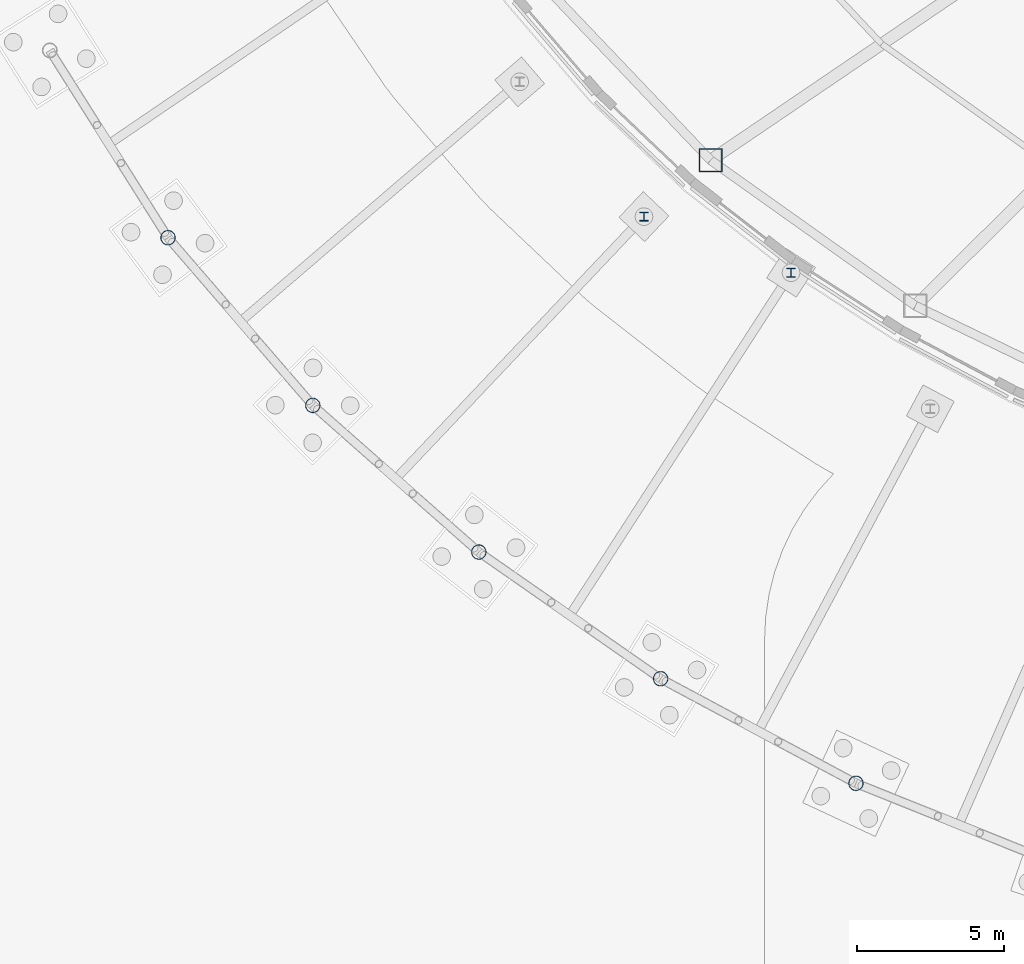
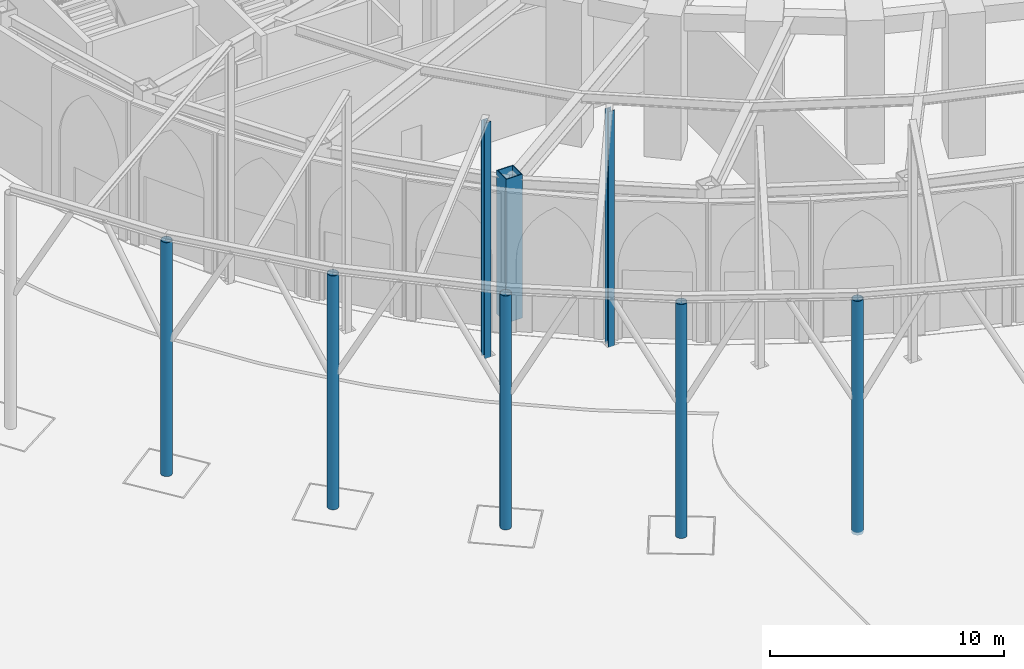
# One storey, part 3 of 79: 8 columns.
"""IFC4 building model written with IfcOpenShell, lengths in metres."""

from ifc_helpers import new_model, si_unit, direction, frame, origin, origin_2d, place, context, subcontext, project, spatial, hollow_rectangle, hollow_circle, i_section, extrude, material, material_profile, profile_set, type_object, element, save


model = new_model("IFC4")

# Units and contexts
model_context = context("Model", 3, precision=1e-05, world=origin(), true_north=direction((0.0, 1.0)))
body_context = subcontext(model_context, "Body", "Model", "MODEL_VIEW")
ifc_project = project(units=[si_unit("LENGTHUNIT", "METRE"), si_unit("AREAUNIT", "SQUARE_METRE"), si_unit("VOLUMEUNIT", "CUBIC_METRE"), si_unit("PLANEANGLEUNIT", "RADIAN"), si_unit("MASSUNIT", "GRAM", prefix="KILO")], contexts=[model_context])

# Site, building, storey
site_placement = place(None, origin())
site = spatial("IfcSite", under=ifc_project, at=site_placement, CompositionType="ELEMENT")
building_placement = place(site_placement, origin())
building = spatial("IfcBuilding", under=site, at=building_placement, Name="Noorbagh Ring Tower", CompositionType="ELEMENT")
storey_placement = place(building_placement, origin())
storey = spatial("IfcBuildingStorey", under=building, at=storey_placement, Name="L00", CompositionType="ELEMENT", Elevation=0.0)

# Columns
ifc_material_1 = material(Name="Steel S355", Category="steel")
ifc_material_profile_1 = material_profile(ifc_material_1, hollow_circle(Radius=0.25390625, WallThickness=0.02490234375, at=origin_2d()), Name="CHS508x25")
ifc_profile_set_1 = profile_set([ifc_material_profile_1], Name="Steel S355")
column_type_1 = type_object("IfcColumnType", Name="GND-CANOPY-TRUNK", PredefinedType="COLUMN", material=ifc_profile_set_1)
for number, where, z_axis, x_axis, name in (
    (1, (-56.279296875, -28.313232421875, -0.14990234375), (0.0, 0.0, 1.0), (1.0, 0.0, 0.0), "Canopy trunk 2"),
    (2, (-51.357177734375, -34.01416015625, -0.14990234375), (0.0, 0.0, 1.0), (1.0, 0.0, 0.0), "Canopy trunk 3"),
    (3, (-45.712890625, -39.0009765625, -0.14990234375), (0.0, 0.0, 1.0), (1.0, 0.0, 0.0), "Canopy trunk 4"),
    (4, (-39.532958984375, -43.306884765625, -0.14990234375), (0.0, 0.0, 1.0), (1.0, 0.0, 0.0), "Canopy trunk 5"),
    (5, (-32.891845703125, -46.863037109375, -0.14990234375), (0.0, 0.0, 1.0), (1.0, 0.0, 0.0), "Canopy trunk 6"),
):
    element("IfcColumn", number, at=place(storey_placement, frame(where, z_axis=z_axis, x_axis=x_axis)), inside=storey, type_object=column_type_1, Name=name, PredefinedType="COLUMN", context=body_context, shape_type="SweptSolid", body=[
        extrude(hollow_circle(Radius=0.25390625, WallThickness=0.02490234375, at=origin_2d()), origin(), (0.0, 0.0, 1.0), 12.199951171875),
    ])
ifc_material_2 = material(Name="Steel S355", Category="steel")
ifc_material_profile_2 = material_profile(ifc_material_2, hollow_rectangle(XDim=0.800048828125, YDim=0.800048828125, WallThickness=0.0400390625, at=origin_2d()), Name="BOX800x800x40")
ifc_profile_set_2 = profile_set([ifc_material_profile_2], Name="Steel S355")
column_type_2 = type_object("IfcColumnType", Name="GND-COL-BOX800x800x40", PredefinedType="COLUMN", material=ifc_profile_set_2)
column_placement = place(storey_placement, frame((-37.8330078125, -25.679931640625, 0.0), z_axis=(0.0, 0.0, 1.0), x_axis=(1.0, 0.0, 0.0)))
element("IfcColumn", 6, at=column_placement, inside=storey, type_object=column_type_2, Name="L00/col/RP-21", PredefinedType="COLUMN", context=body_context, shape_type="SweptSolid", body=[
    extrude(hollow_rectangle(XDim=0.800048828125, YDim=0.800048828125, WallThickness=0.0400390625, at=origin_2d()), origin(), (0.0, 0.0, 1.0), 7.5),
])
ifc_material_3 = material(Name="Steel S355", Category="steel")
ifc_material_profile_3 = material_profile(ifc_material_3, i_section(OverallWidth=0.300048828125, OverallDepth=0.300048828125, WebThickness=0.010986328125, FlangeThickness=0.01904296875, FilletRadius=0.027099609375, at=origin_2d()), Name="HEB300")
ifc_profile_set_3 = profile_set([ifc_material_profile_3], Name="Steel S355")
column_type_3 = type_object("IfcColumnType", Name="GND-LINK-POST", PredefinedType="COLUMN", material=ifc_profile_set_3)
for number, where, z_axis, x_axis, name in (
    (7, (-40.098876953125, -27.59716796875, -0.14990234375), (0.0, 0.0, 1.0), (1.0, 0.0, 0.0), "Canopy link post 3"),
    (8, (-35.09912109375, -29.50439453125, -0.14990234375), (0.0, 0.0, 1.0), (1.0, 0.0, 0.0), "Canopy link post 4"),
):
    element("IfcColumn", number, at=place(storey_placement, frame(where, z_axis=z_axis, x_axis=x_axis)), inside=storey, type_object=column_type_3, Name=name, PredefinedType="COLUMN", context=body_context, shape_type="SweptSolid", body=[
        extrude(i_section(OverallWidth=0.300048828125, OverallDepth=0.300048828125, WebThickness=0.010986328125, FlangeThickness=0.01904296875, FilletRadius=0.027099609375, at=origin_2d()), origin(), (0.0, 0.0, 1.0), 12.2998046875),
    ])

save(model, "model.ifc")
